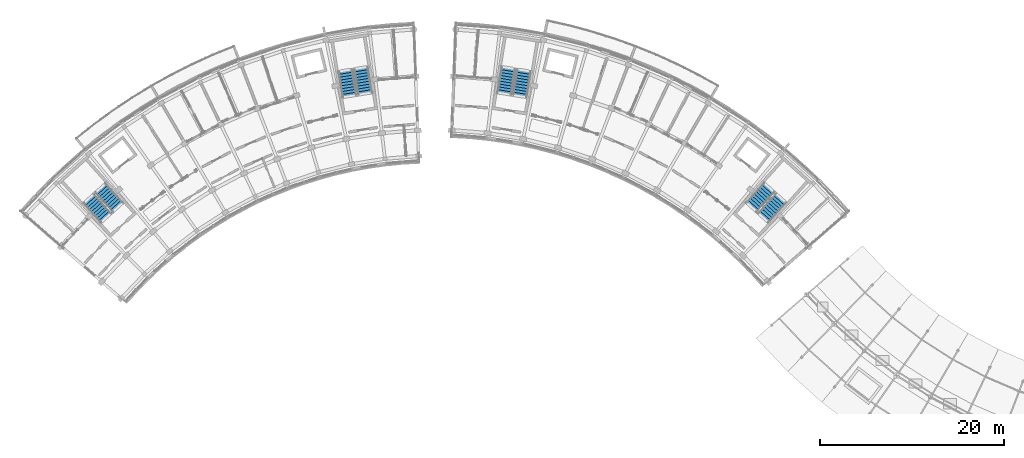
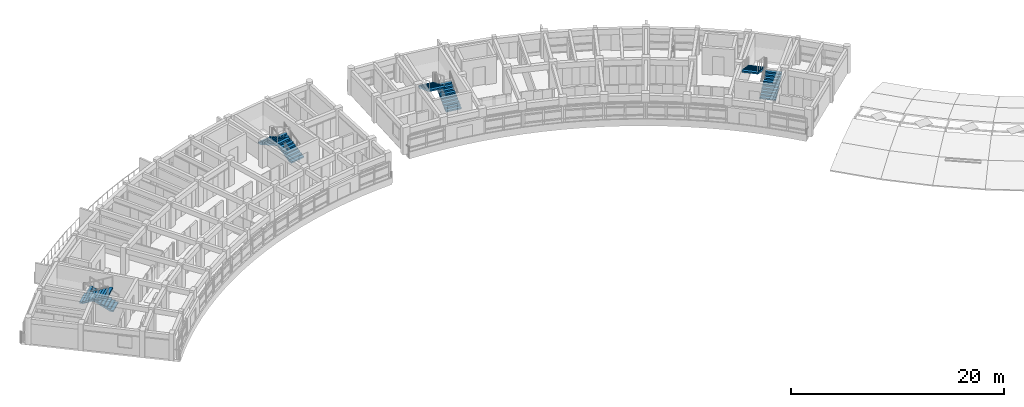
# One storey, part 31 of 40: 8 stair flights, 4 elements without a shape of their own.
"""IFC4 building model written with IfcOpenShell, lengths in metres."""

from ifc_helpers import new_model, si_unit, direction, frame, origin, place, context, subcontext, project, spatial, polyline, outline, extrude, material, type_object, element, aggregate, save


model = new_model("IFC4")

# Units and contexts
model_context = context("Model", 3, precision=1e-05, world=origin(), true_north=direction((0.0, 1.0)))
body_context = subcontext(model_context, "Body", "Model", "MODEL_VIEW")
ifc_project = project(units=[si_unit("LENGTHUNIT", "METRE"), si_unit("AREAUNIT", "SQUARE_METRE"), si_unit("VOLUMEUNIT", "CUBIC_METRE"), si_unit("PLANEANGLEUNIT", "RADIAN"), si_unit("MASSUNIT", "GRAM", prefix="KILO")], contexts=[model_context])

# Site, building, storey
site_placement = place(None, origin())
site = spatial("IfcSite", under=ifc_project, at=site_placement, CompositionType="ELEMENT")
building_placement = place(site_placement, origin())
building = spatial("IfcBuilding", under=site, at=building_placement, Name="Zimvara Arc Housing Community", CompositionType="ELEMENT")
storey_placement = place(building_placement, frame((0.0, 0.0, 32.89990234375)))
storey = spatial("IfcBuildingStorey", under=building, at=storey_placement, Name="L10", CompositionType="ELEMENT", Elevation=32.89990234375)

# Stair, stair flights
ifc_material_1 = material(Name="Concrete C35/45", Category="concrete")
stair_type_1 = type_object("IfcStairType", Name="STR-DL-312-310", PredefinedType="HALF_TURN_STAIR", material=ifc_material_1)
stair_1_placement = place(storey_placement, origin())
stair_1 = element("IfcStair", 1, at=stair_1_placement, inside=storey, type_object=stair_type_1, Name="L10 Block A Exit Stair 1", PredefinedType="HALF_TURN_STAIR")
ifc_material_2 = material(Name="Concrete C35/45", Category="concrete")
stair_flight_type_1 = type_object("IfcStairFlightType", Name="STF-DL-312-310", PredefinedType="STRAIGHT", material=ifc_material_2)
stair_flight_1_placement = place(storey_placement, frame((10.590576171875, 84.0283203125, 0.0), z_axis=(0.0, 0.0, 1.0), x_axis=(-0.668871159118, 0.743378350842, 0.0)))
stair_flight_1 = element("IfcStairFlight", 2, at=stair_flight_1_placement, type_object=stair_flight_type_1, Name="ST-A1 flight 1", NumberOfRisers=10, NumberOfTreads=9, PredefinedType="STRAIGHT", RiserHeight=0.155, TreadLength=0.312, context=body_context, shape_type="SweptSolid", body=[
    extrude(outline(polyline([(0.0, 0.0), (0.0, 0.155029296875), (0.31201171875, 0.155029296875), (0.31201171875, 0.31005859375), (0.6240234375, 0.31005859375), (0.6240234375, 0.465087890625), (0.93603515625, 0.465087890625), (0.93603515625, 0.6201171875), (1.248046875, 0.6201171875), (1.248046875, 0.77490234375), (1.56005859375, 0.77490234375), (1.56005859375, 0.929931640625), (1.8720703125, 0.929931640625), (1.8720703125, 1.0849609375), (2.18408203125, 1.0849609375), (2.18408203125, 1.239990234375), (2.49609375, 1.239990234375), (2.49609375, 1.39501953125), (2.80810546875, 1.39501953125), (2.80810546875, 1.550048828125), (2.80810546875, 1.2275390625), (0.3369140625, 0.0), (0.0, 0.0)])), frame((0.0, 0.780029296875, 0.0), z_axis=(0.0, -1.0, 0.0), x_axis=(1.0, 0.0, 0.0)), (0.0, 0.0, 1.0), 1.56005859375),
])
stair_flight_2_placement = place(storey_placement, frame((7.43359375, 84.965087890625, 1.550048828125), z_axis=(0.0, 0.0, 1.0), x_axis=(0.668871159118, -0.743378350842, 0.0)))
stair_flight_2 = element("IfcStairFlight", 3, at=stair_flight_2_placement, type_object=stair_flight_type_1, Name="ST-A1 flight 2", NumberOfRisers=10, NumberOfTreads=9, PredefinedType="STRAIGHT", RiserHeight=0.155, TreadLength=0.312, context=body_context, shape_type="SweptSolid", body=[
    extrude(outline(polyline([(0.0, 0.0), (0.0, 0.155029296875), (0.31201171875, 0.155029296875), (0.31201171875, 0.31005859375), (0.6240234375, 0.31005859375), (0.6240234375, 0.465087890625), (0.93603515625, 0.465087890625), (0.93603515625, 0.6201171875), (1.248046875, 0.6201171875), (1.248046875, 0.77490234375), (1.56005859375, 0.77490234375), (1.56005859375, 0.929931640625), (1.8720703125, 0.929931640625), (1.8720703125, 1.0849609375), (2.18408203125, 1.0849609375), (2.18408203125, 1.239990234375), (2.49609375, 1.239990234375), (2.49609375, 1.39501953125), (2.80810546875, 1.39501953125), (2.80810546875, 1.550048828125), (2.80810546875, 1.2275390625), (0.3369140625, 0.0), (0.0, 0.0)])), frame((0.0, 0.780029296875, 0.0), z_axis=(0.0, -1.0, 0.0), x_axis=(1.0, 0.0, 0.0)), (0.0, 0.0, 1.0), 1.56005859375),
])
aggregate(stair_1, [stair_flight_1, stair_flight_2])

ifc_material_3 = material(Name="Concrete C35/45", Category="concrete")
stair_type_2 = type_object("IfcStairType", Name="STR-DL-315-310", PredefinedType="HALF_TURN_STAIR", material=ifc_material_3)
stair_2_placement = place(storey_placement, origin())
stair_2 = element("IfcStair", 4, at=stair_2_placement, inside=storey, type_object=stair_type_2, Name="L10 Block A Exit Stair 2", PredefinedType="HALF_TURN_STAIR")
ifc_material_4 = material(Name="Concrete C35/45", Category="concrete")
stair_flight_type_2 = type_object("IfcStairFlightType", Name="STF-DL-315-310", PredefinedType="STRAIGHT", material=ifc_material_4)
stair_flight_3_placement = place(storey_placement, frame((37.453125, 96.36083984375, 0.0), z_axis=(0.0, 0.0, 1.0), x_axis=(-0.160225753504, 0.987080395872, 0.0)))
stair_flight_3 = element("IfcStairFlight", 5, at=stair_flight_3_placement, type_object=stair_flight_type_2, Name="ST-A2 flight 1", NumberOfRisers=10, NumberOfTreads=9, PredefinedType="STRAIGHT", RiserHeight=0.155, TreadLength=0.315, context=body_context, shape_type="SweptSolid", body=[
    extrude(outline(polyline([(0.0, 0.0), (0.0, 0.155029296875), (0.31494140625, 0.155029296875), (0.31494140625, 0.31005859375), (0.6298828125, 0.31005859375), (0.6298828125, 0.465087890625), (0.945068359375, 0.465087890625), (0.945068359375, 0.6201171875), (1.260009765625, 0.6201171875), (1.260009765625, 0.77490234375), (1.574951171875, 0.77490234375), (1.574951171875, 0.929931640625), (1.889892578125, 0.929931640625), (1.889892578125, 1.0849609375), (2.205078125, 1.0849609375), (2.205078125, 1.239990234375), (2.52001953125, 1.239990234375), (2.52001953125, 1.39501953125), (2.8349609375, 1.39501953125), (2.8349609375, 1.550048828125), (2.8349609375, 1.22802734375), (0.339599609375, 0.0), (0.0, 0.0)])), frame((0.0, 0.780029296875, 0.0), z_axis=(0.0, -1.0, 0.0), x_axis=(1.0, 0.0, 0.0)), (0.0, 0.0, 1.0), 1.56005859375),
])
stair_flight_4_placement = place(storey_placement, frame((35.301025390625, 98.883544921875, 1.550048828125), z_axis=(0.0, 0.0, 1.0), x_axis=(0.160225753504, -0.987080395872, 0.0)))
stair_flight_4 = element("IfcStairFlight", 6, at=stair_flight_4_placement, type_object=stair_flight_type_2, Name="ST-A2 flight 2", NumberOfRisers=10, NumberOfTreads=9, PredefinedType="STRAIGHT", RiserHeight=0.155, TreadLength=0.315, context=body_context, shape_type="SweptSolid", body=[
    extrude(outline(polyline([(0.0, 0.0), (0.0, 0.155029296875), (0.31494140625, 0.155029296875), (0.31494140625, 0.31005859375), (0.6298828125, 0.31005859375), (0.6298828125, 0.465087890625), (0.945068359375, 0.465087890625), (0.945068359375, 0.6201171875), (1.260009765625, 0.6201171875), (1.260009765625, 0.77490234375), (1.574951171875, 0.77490234375), (1.574951171875, 0.929931640625), (1.889892578125, 0.929931640625), (1.889892578125, 1.0849609375), (2.205078125, 1.0849609375), (2.205078125, 1.239990234375), (2.52001953125, 1.239990234375), (2.52001953125, 1.39501953125), (2.8349609375, 1.39501953125), (2.8349609375, 1.550048828125), (2.8349609375, 1.22802734375), (0.339599609375, 0.0), (0.0, 0.0)])), frame((0.0, 0.780029296875, 0.0), z_axis=(0.0, -1.0, 0.0), x_axis=(1.0, 0.0, 0.0)), (0.0, 0.0, 1.0), 1.56005859375),
])
aggregate(stair_2, [stair_flight_3, stair_flight_4])

stair_3_placement = place(storey_placement, origin())
stair_3 = element("IfcStair", 7, at=stair_3_placement, inside=storey, type_object=stair_type_2, Name="L10 Block B Exit Stair 1", PredefinedType="HALF_TURN_STAIR")
stair_flight_5_placement = place(storey_placement, frame((54.24462890625, 96.085205078125, 0.0), z_axis=(0.0, 0.0, 1.0), x_axis=(0.160225753504, 0.987080395872, 0.0)))
stair_flight_5 = element("IfcStairFlight", 8, at=stair_flight_5_placement, type_object=stair_flight_type_2, Name="ST-B1 flight 1", NumberOfRisers=10, NumberOfTreads=9, PredefinedType="STRAIGHT", RiserHeight=0.155, TreadLength=0.315, context=body_context, shape_type="SweptSolid", body=[
    extrude(outline(polyline([(0.0, 0.0), (0.0, 0.155029296875), (0.31494140625, 0.155029296875), (0.31494140625, 0.31005859375), (0.6298828125, 0.31005859375), (0.6298828125, 0.465087890625), (0.945068359375, 0.465087890625), (0.945068359375, 0.6201171875), (1.260009765625, 0.6201171875), (1.260009765625, 0.77490234375), (1.574951171875, 0.77490234375), (1.574951171875, 0.929931640625), (1.889892578125, 0.929931640625), (1.889892578125, 1.0849609375), (2.205078125, 1.0849609375), (2.205078125, 1.239990234375), (2.52001953125, 1.239990234375), (2.52001953125, 1.39501953125), (2.8349609375, 1.39501953125), (2.8349609375, 1.550048828125), (2.8349609375, 1.22802734375), (0.339599609375, 0.0), (0.0, 0.0)])), frame((0.0, 0.780029296875, 0.0), z_axis=(0.0, -1.0, 0.0), x_axis=(1.0, 0.0, 0.0)), (0.0, 0.0, 1.0), 1.56005859375),
])
stair_flight_6_placement = place(storey_placement, frame((53.001220703125, 99.1591796875, 1.550048828125), z_axis=(0.0, 0.0, 1.0), x_axis=(-0.160225753504, -0.987080395872, 0.0)))
stair_flight_6 = element("IfcStairFlight", 9, at=stair_flight_6_placement, type_object=stair_flight_type_2, Name="ST-B1 flight 2", NumberOfRisers=10, NumberOfTreads=9, PredefinedType="STRAIGHT", RiserHeight=0.155, TreadLength=0.315, context=body_context, shape_type="SweptSolid", body=[
    extrude(outline(polyline([(0.0, 0.0), (0.0, 0.155029296875), (0.31494140625, 0.155029296875), (0.31494140625, 0.31005859375), (0.6298828125, 0.31005859375), (0.6298828125, 0.465087890625), (0.945068359375, 0.465087890625), (0.945068359375, 0.6201171875), (1.260009765625, 0.6201171875), (1.260009765625, 0.77490234375), (1.574951171875, 0.77490234375), (1.574951171875, 0.929931640625), (1.889892578125, 0.929931640625), (1.889892578125, 1.0849609375), (2.205078125, 1.0849609375), (2.205078125, 1.239990234375), (2.52001953125, 1.239990234375), (2.52001953125, 1.39501953125), (2.8349609375, 1.39501953125), (2.8349609375, 1.550048828125), (2.8349609375, 1.22802734375), (0.339599609375, 0.0), (0.0, 0.0)])), frame((0.0, 0.780029296875, 0.0), z_axis=(0.0, -1.0, 0.0), x_axis=(1.0, 0.0, 0.0)), (0.0, 0.0, 1.0), 1.56005859375),
])
aggregate(stair_3, [stair_flight_5, stair_flight_6])

ifc_material_5 = material(Name="Concrete C35/45", Category="concrete")
stair_type_3 = type_object("IfcStairType", Name="STR-DL-318-310", PredefinedType="HALF_TURN_STAIR", material=ifc_material_5)
stair_4_placement = place(storey_placement, origin())
stair_4 = element("IfcStair", 10, at=stair_4_placement, inside=storey, type_object=stair_type_3, Name="L10 Block B Exit Stair 2", PredefinedType="HALF_TURN_STAIR")
ifc_material_6 = material(Name="Concrete C35/45", Category="concrete")
stair_flight_type_3 = type_object("IfcStairFlightType", Name="STF-DL-318-310", PredefinedType="STRAIGHT", material=ifc_material_6)
stair_flight_7_placement = place(storey_placement, frame((80.688232421875, 82.877685546875, 0.0), z_axis=(0.0, 0.0, 1.0), x_axis=(0.668871159118, 0.743378350842, 0.0)))
stair_flight_7 = element("IfcStairFlight", 11, at=stair_flight_7_placement, type_object=stair_flight_type_3, Name="ST-B2 flight 1", NumberOfRisers=10, NumberOfTreads=9, PredefinedType="STRAIGHT", RiserHeight=0.155, TreadLength=0.318, context=body_context, shape_type="SweptSolid", body=[
    extrude(outline(polyline([(0.0, 0.0), (0.0, 0.155029296875), (0.318115234375, 0.155029296875), (0.318115234375, 0.31005859375), (0.635986328125, 0.31005859375), (0.635986328125, 0.465087890625), (0.9541015625, 0.465087890625), (0.9541015625, 0.6201171875), (1.27197265625, 0.6201171875), (1.27197265625, 0.77490234375), (1.590087890625, 0.77490234375), (1.590087890625, 0.929931640625), (1.907958984375, 0.929931640625), (1.907958984375, 1.0849609375), (2.22607421875, 1.0849609375), (2.22607421875, 1.239990234375), (2.5439453125, 1.239990234375), (2.5439453125, 1.39501953125), (2.862060546875, 1.39501953125), (2.862060546875, 1.550048828125), (2.862060546875, 1.228271484375), (0.342041015625, 0.0), (0.0, 0.0)])), frame((0.0, 0.780029296875, 0.0), z_axis=(0.0, -1.0, 0.0), x_axis=(1.0, 0.0, 0.0)), (0.0, 0.0, 1.0), 1.56005859375),
])
stair_flight_8_placement = place(storey_placement, frame((81.323974609375, 86.15576171875, 1.550048828125), z_axis=(0.0, 0.0, 1.0), x_axis=(-0.668871159118, -0.743378350842, 0.0)))
stair_flight_8 = element("IfcStairFlight", 12, at=stair_flight_8_placement, type_object=stair_flight_type_3, Name="ST-B2 flight 2", NumberOfRisers=10, NumberOfTreads=9, PredefinedType="STRAIGHT", RiserHeight=0.155, TreadLength=0.318, context=body_context, shape_type="SweptSolid", body=[
    extrude(outline(polyline([(0.0, 0.0), (0.0, 0.155029296875), (0.318115234375, 0.155029296875), (0.318115234375, 0.31005859375), (0.635986328125, 0.31005859375), (0.635986328125, 0.465087890625), (0.9541015625, 0.465087890625), (0.9541015625, 0.6201171875), (1.27197265625, 0.6201171875), (1.27197265625, 0.77490234375), (1.590087890625, 0.77490234375), (1.590087890625, 0.929931640625), (1.907958984375, 0.929931640625), (1.907958984375, 1.0849609375), (2.22607421875, 1.0849609375), (2.22607421875, 1.239990234375), (2.5439453125, 1.239990234375), (2.5439453125, 1.39501953125), (2.862060546875, 1.39501953125), (2.862060546875, 1.550048828125), (2.862060546875, 1.228271484375), (0.342041015625, 0.0), (0.0, 0.0)])), frame((0.0, 0.780029296875, 0.0), z_axis=(0.0, -1.0, 0.0), x_axis=(1.0, 0.0, 0.0)), (0.0, 0.0, 1.0), 1.56005859375),
])
aggregate(stair_4, [stair_flight_7, stair_flight_8])

save(model, "model.ifc")
